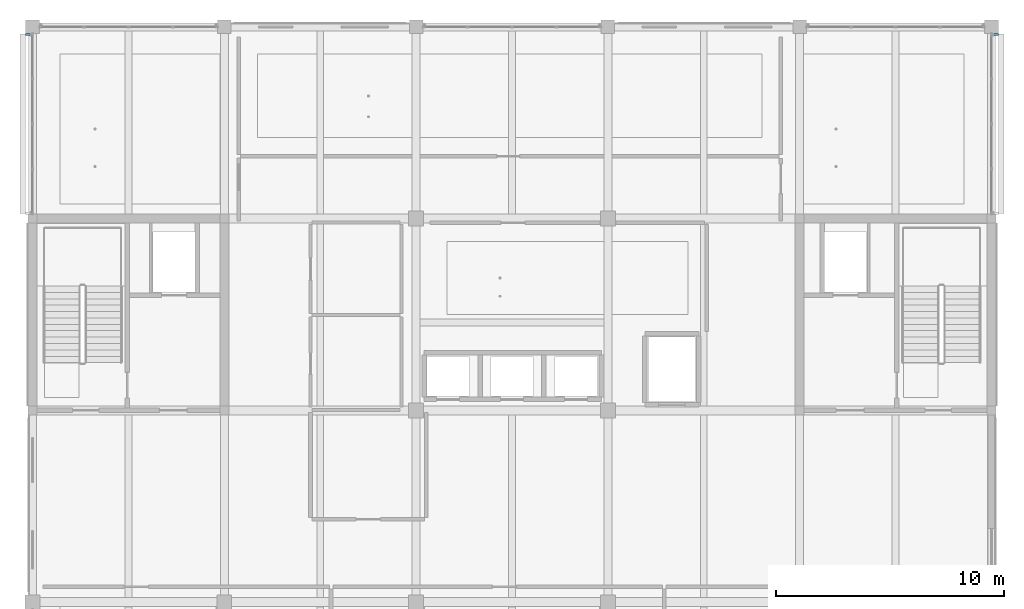
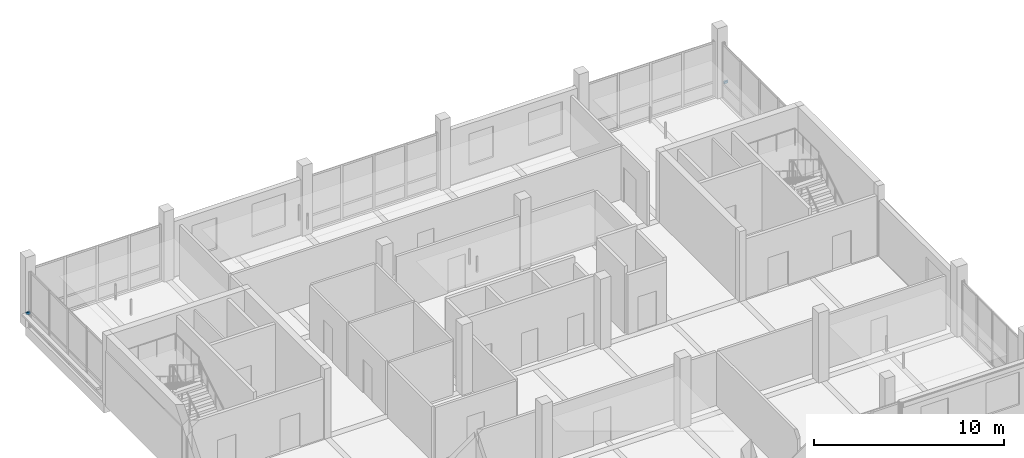
# One storey, part 20 of 29: 2 discrete accessories.
"""IFC4 building model written with IfcOpenShell, lengths in metres."""

import ifcopenshell
import ifcopenshell.guid

model = None  # the IFC model being written
_history = None  # IfcOwnerHistory: only IFC2X3 demands one
_inside = {}  # id of a spatial element -> (the spatial element, [elements in it])
_under = {}  # id of a project, library or spatial element -> (it, [spatial elements below it])
_declared = {}  # id of a project -> (the project, [libraries it declares])
_typed = {}  # id of a type object -> (the type object, [elements of that type])
_made_of = {}  # id of a material, layer set ... -> (it, [elements and type objects made of it])


def new_model(schema):
    """Start an empty IFC model of exactly this schema.

    Asked for "IFC4X3", IfcOpenShell would pick the latest addendum, in which some entities
    have other attributes; the version numbers below select the first issue.
    IFC2X3 requires an IfcOwnerHistory on every rooted entity: one is made here for all.
    """
    global model, _history
    if schema == "IFC4X3":
        model = ifcopenshell.file(schema_version=(4, 3, 0, 0))
    else:
        model = ifcopenshell.file(schema=schema)
    _inside.clear()
    _under.clear()
    _declared.clear()
    _typed.clear()
    _made_of.clear()
    _history = None
    if model.schema == "IFC2X3":
        org = make("IfcOrganization", Name="unknown")
        user = make(
            "IfcPersonAndOrganization",
            ThePerson=make("IfcPerson", FamilyName="unknown"),
            TheOrganization=org,
        )
        app = make(
            "IfcApplication",
            ApplicationDeveloper=org,
            Version="unknown",
            ApplicationFullName="unknown",
            ApplicationIdentifier="unknown",
        )
        _history = make(
            "IfcOwnerHistory",
            OwningUser=user,
            OwningApplication=app,
            ChangeAction="ADDED",
            CreationDate=0,
        )
    return model


def make(cls, **values):
    """One entity of the class cls with the attributes given. An attribute that is None is left unset."""
    return model.create_entity(
        cls, **{name: value for name, value in values.items() if value is not None}
    )


def rooted(cls, **values):
    """An entity with a GlobalId (a new one), such as an element, a storey or a relation."""
    return make(cls, GlobalId=ifcopenshell.guid.new(), OwnerHistory=_history, **values)


def si_unit(unit_type, name, prefix=None):
    """IfcSIUnit, for example si_unit("LENGTHUNIT", "METRE", prefix="MILLI")."""
    return make("IfcSIUnit", UnitType=unit_type, Prefix=prefix, Name=name)


def assignment(units):
    """IfcUnitAssignment: the units of a project."""
    return None if units is None else make("IfcUnitAssignment", Units=units)


def point(xyz):
    """IfcCartesianPoint."""
    return None if xyz is None else make("IfcCartesianPoint", Coordinates=xyz)


def direction(xyz):
    """IfcDirection."""
    return None if xyz is None else make("IfcDirection", DirectionRatios=xyz)


def frame(location, z_axis=None, x_axis=None):
    """IfcAxis2Placement3D, a coordinate frame: its origin and axes. An axis left out is left unset."""
    return make(
        "IfcAxis2Placement3D",
        Location=point(location),
        Axis=direction(z_axis),
        RefDirection=direction(x_axis),
    )


def frame_2d(location, x_axis=None):
    """IfcAxis2Placement2D, a coordinate frame in the plane: its origin and x axis."""
    return make(
        "IfcAxis2Placement2D", Location=point(location), RefDirection=direction(x_axis)
    )


def origin():
    """The frame at (0, 0, 0) with its axes left unset."""
    return frame((0.0, 0.0, 0.0))


def origin_2d():
    """The frame at (0, 0) in the plane with its x axis left unset."""
    return frame_2d((0.0, 0.0))


def place(relative_to, where):
    """IfcLocalPlacement: puts the frame where relative to a parent placement (None: the world)."""
    return make(
        "IfcLocalPlacement", PlacementRelTo=relative_to, RelativePlacement=where
    )


def context(
    kind, dimensions, precision=None, world=None, true_north=None, identifier=None
):
    """IfcGeometricRepresentationContext, for example the 3D "Model" context."""
    return make(
        "IfcGeometricRepresentationContext",
        ContextIdentifier=identifier,
        ContextType=kind,
        CoordinateSpaceDimension=dimensions,
        Precision=precision,
        WorldCoordinateSystem=world,
        TrueNorth=true_north,
    )


def subcontext(parent, identifier, kind, view, scale=None):
    """IfcGeometricRepresentationSubContext, for example "Body" below "Model"."""
    return make(
        "IfcGeometricRepresentationSubContext",
        ContextIdentifier=identifier,
        ContextType=kind,
        ParentContext=parent,
        TargetScale=scale,
        TargetView=view,
    )


def project(units=None, contexts=None):
    """IfcProject with its units and contexts."""
    return rooted(
        "IfcProject",
        Name="project",
        RepresentationContexts=contexts,
        UnitsInContext=assignment(units),
    )


def spatial(cls, under=None, at=None, **own):
    """A site, building, storey or space (cls), placed at a placement, below another one or the project."""
    s = rooted(cls, ObjectPlacement=at, **own)
    if under is not None:
        _under.setdefault(under.id(), (under, []))[1].append(s)
    return s


def profile(cls, at=None, kind="AREA", **sizes):
    """A parametric profile (cls). Its sizes go by their IFC names, for example OverallWidth=200.0."""
    return make(cls, ProfileType=kind, Position=at, **sizes)


def rectangle(**sizes):
    """IfcRectangleProfileDef."""
    return profile("IfcRectangleProfileDef", **sizes)


def extrude(swept, where, along, depth):
    """IfcExtrudedAreaSolid: the profile swept, set in the frame where, extruded along a direction by depth."""
    return make(
        "IfcExtrudedAreaSolid",
        SweptArea=swept,
        Position=where,
        ExtrudedDirection=direction(along),
        Depth=depth,
    )


def shape(context_of_items, identifier, shape_type, items):
    """IfcShapeRepresentation: the items that make up one representation, for example the "Body"."""
    return make(
        "IfcShapeRepresentation",
        ContextOfItems=context_of_items,
        RepresentationIdentifier=identifier,
        RepresentationType=shape_type,
        Items=items,
    )


def material(Name=None, Category=None):
    """IfcMaterial."""
    return make("IfcMaterial", Name=Name, Category=Category)


def made_of(thing, what):
    """Note that an element or type object is made of a material, layer set ...; save() writes the relation."""
    if what is not None:
        _made_of.setdefault(what.id(), (what, []))[1].append(thing)
    return thing


def type_object(cls, material=None, **own):
    """A type object (cls), such as IfcWallType, which elements share."""
    return made_of(rooted(cls, **own), material)


def element(
    cls,
    number,
    at=None,
    inside=None,
    cuts=None,
    type_object=None,
    material=None,
    context=None,
    identifier="Body",
    shape_type=None,
    held_by="IfcProductDefinitionShape",
    body=None,
    shapes=None,
    **own,
):
    """One element of the class cls, such as IfcWall. Its Tag is "e" and its number.

    at: its placement. inside: the storey or other place that contains it. cuts: it is an
    opening in that element (IfcRelVoidsElement). A single representation is given by context,
    identifier, shape_type and body (its items); several are given by shapes. held_by: the class
    of the entity that holds the representations. save() writes the other relations.
    """
    e = rooted(cls, Tag="e%d" % number, ObjectPlacement=at, **own)
    if body is not None:
        shapes = [shape(context, identifier, shape_type, body)]
    if shapes is not None:
        e.Representation = make(held_by, Representations=shapes)
    if inside is not None:
        _inside.setdefault(inside.id(), (inside, []))[1].append(e)
    if cuts is not None:
        rooted(
            "IfcRelVoidsElement", RelatingBuildingElement=cuts, RelatedOpeningElement=e
        )
    if type_object is not None:
        _typed.setdefault(type_object.id(), (type_object, []))[1].append(e)
    return made_of(e, material)


def aggregate(whole, parts):
    """IfcRelAggregates: a whole, such as a stair, and the parts it consists of."""
    return rooted("IfcRelAggregates", RelatingObject=whole, RelatedObjects=parts)


def save(model, path):
    """Write the relations noted so far, then the file.

    IfcRelAggregates (storeys below a building ...), IfcRelContainedInSpatialStructure (elements
    in a storey), IfcRelDefinesByType, IfcRelAssociatesMaterial and IfcRelDeclares: one each for
    every whole, place, type object, material and project.
    """
    for whole, parts in _under.values():
        aggregate(whole, parts)
    for where, things in _inside.values():
        rooted(
            "IfcRelContainedInSpatialStructure",
            RelatedElements=things,
            RelatingStructure=where,
        )
    for kind, things in _typed.values():
        rooted("IfcRelDefinesByType", RelatedObjects=things, RelatingType=kind)
    for what, things in _made_of.values():
        rooted("IfcRelAssociatesMaterial", RelatedObjects=things, RelatingMaterial=what)
    for by, libraries in _declared.values():
        rooted("IfcRelDeclares", RelatingContext=by, RelatedDefinitions=libraries)
    model.write(path)


model = new_model("IFC4")

# Units and contexts
model_context = context("Model", 3, precision=1e-05, world=origin(), true_north=direction((0.0, 1.0)))
body_context = subcontext(model_context, "Body", "Model", "MODEL_VIEW")
ifc_project = project(units=[si_unit("LENGTHUNIT", "METRE"), si_unit("AREAUNIT", "SQUARE_METRE"), si_unit("VOLUMEUNIT", "CUBIC_METRE"), si_unit("PLANEANGLEUNIT", "RADIAN"), si_unit("MASSUNIT", "GRAM", prefix="KILO")], contexts=[model_context])

# Site, building, storey
site_placement = place(None, origin())
site = spatial("IfcSite", under=ifc_project, at=site_placement, CompositionType="ELEMENT")
building_placement = place(site_placement, origin())
building = spatial("IfcBuilding", under=site, at=building_placement, Name="Telukmera Botanical Conservatory", CompositionType="ELEMENT")
storey_placement = place(building_placement, frame((0.0, 0.0, 55.5)))
storey = spatial("IfcBuildingStorey", under=building, at=storey_placement, Name="L12", CompositionType="ELEMENT", Elevation=55.5)

# Discrete accessories
ifc_material = material(Name="Steel S355", Category="steel")
discrete_accessory_type = type_object("IfcDiscreteAccessoryType", Name="Structural Steel Facade Outrigger Fin Bracket", PredefinedType="BRACKET", material=ifc_material)
for number, where, z_axis, x_axis, name in (
    (1, (58.610107421875, 42.468017578125, 0.8798828125), (0.0, 0.0, 1.0), (0.0, 1.0, 0.0), "Facade Outrigger Bracket V4:L12:W4 B"),
    (2, (100.989990234375, 42.468017578125, 0.8798828125), (0.0, 0.0, 1.0), (0.0, 1.0, 0.0), "Facade Outrigger Bracket V4:L12:E4 B"),
):
    element("IfcDiscreteAccessory", number, at=place(storey_placement, frame(where, z_axis=z_axis, x_axis=x_axis)), inside=storey, type_object=discrete_accessory_type, Name=name, PredefinedType="BRACKET", context=body_context, shape_type="SweptSolid", body=[
        extrude(rectangle(XDim=0.10009765625, YDim=0.239990234375, at=origin_2d()), origin(), (0.0, 0.0, 1.0), 0.139892578125),
    ])

save(model, "model.ifc")
